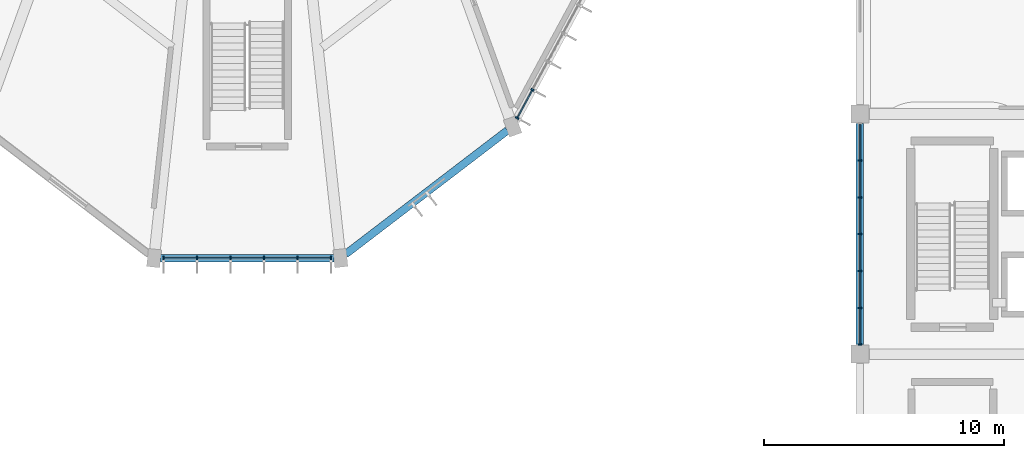
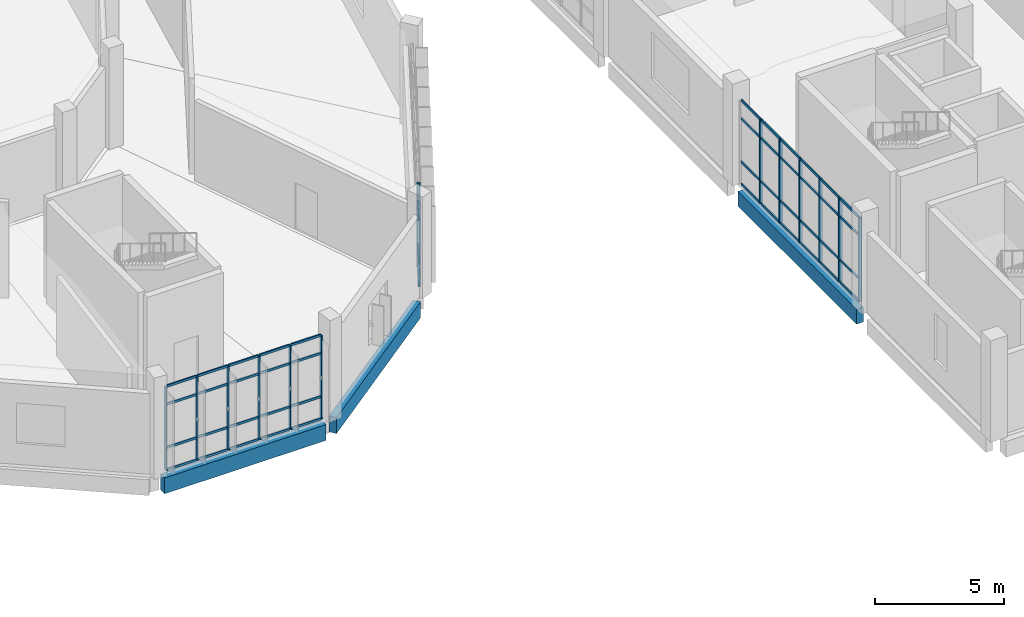
# One storey, part 51 of 179: 62 members, 3 beams, 3 elements without a shape of their own.
"""IFC4 building model written with IfcOpenShell, lengths in metres."""

from ifc_helpers import new_model, si_unit, direction, frame, origin, origin_2d, place, context, subcontext, project, spatial, rectangle, extrude, material, layer, layer_set, material_profile, profile_set, type_object, element, aggregate, save


model = new_model("IFC4")

# Units and contexts
model_context = context("Model", 3, precision=1e-05, world=origin(), true_north=direction((0.0, 1.0)))
body_context = subcontext(model_context, "Body", "Model", "MODEL_VIEW")
ifc_project = project(units=[si_unit("LENGTHUNIT", "METRE"), si_unit("AREAUNIT", "SQUARE_METRE"), si_unit("VOLUMEUNIT", "CUBIC_METRE"), si_unit("PLANEANGLEUNIT", "RADIAN"), si_unit("MASSUNIT", "GRAM", prefix="KILO")], contexts=[model_context])

# Site, building, storey
site_placement = place(None, origin())
site = spatial("IfcSite", under=ifc_project, at=site_placement, CompositionType="ELEMENT")
building_placement = place(site_placement, origin())
building = spatial("IfcBuilding", under=site, at=building_placement, Name="Corvandel Quay Wholesale Market", CompositionType="ELEMENT")
storey_placement = place(building_placement, frame((0.0, 0.0, 6.0)))
storey = spatial("IfcBuildingStorey", under=building, at=storey_placement, Name="L01", CompositionType="ELEMENT", Elevation=6.0)

# Curtain wall, members
ifc_material_1 = material(Name="Bronze anodised aluminium and low-E insulated glazing", Category="aluminium")
ifc_layer_1 = layer(ifc_material_1, 0.162109375)
ifc_layer_set_1 = layer_set([ifc_layer_1], Name="Bronze anodised aluminium and low-E insulated glazing")
curtain_wall_type_1 = type_object("IfcCurtainWallType", Name="Stick Curtain Wall System CW21 H4890", PredefinedType="NOTDEFINED", material=ifc_layer_set_1)
curtain_wall_1_placement = place(storey_placement, origin())
curtain_wall_1 = element("IfcCurtainWall", 1, at=curtain_wall_1_placement, inside=storey, type_object=curtain_wall_type_1, Name="Curtain Wall CW-0138", PredefinedType="NOTDEFINED")
ifc_material_2 = material(Name="Anodised aluminium 6063-T6", Category="aluminium")
ifc_material_profile_1 = material_profile(ifc_material_2, rectangle(XDim=0.06494140625, YDim=0.14990234375, at=origin_2d()), Name="ALU-MUL-65x150")
ifc_profile_set_1 = profile_set([ifc_material_profile_1], Name="Anodised aluminium 6063-T6")
member_type_1 = type_object("IfcMemberType", Name="Curtain Wall Mullion ML02 65x150", PredefinedType="MULLION", material=ifc_profile_set_1)
member_1_placement = place(storey_placement, frame((191.02099609375, 24.0, 0.0), z_axis=(0.0, 0.0, 1.0), x_axis=(1.0, 0.0, 0.0)))
member_1 = element("IfcMember", 2, at=member_1_placement, type_object=member_type_1, Name="Mullion CW-0138-M00", PredefinedType="MULLION", context=body_context, shape_type="SweptSolid", body=[
    extrude(rectangle(XDim=0.06494140625, YDim=0.14990234375, at=origin_2d()), origin(), (0.0, 0.0, 1.0), 3.949951171875),
])
member_2_placement = place(storey_placement, frame((192.41259765625, 24.0, 0.0), z_axis=(0.0, 0.0, 1.0), x_axis=(1.0, 0.0, 0.0)))
member_2 = element("IfcMember", 3, at=member_2_placement, type_object=member_type_1, Name="Mullion CW-0138-M01", PredefinedType="MULLION", context=body_context, shape_type="SweptSolid", body=[
    extrude(rectangle(XDim=0.06494140625, YDim=0.14990234375, at=origin_2d()), origin(), (0.0, 0.0, 1.0), 3.949951171875),
])
member_3_placement = place(storey_placement, frame((193.80419921875, 24.0, 0.0), z_axis=(0.0, 0.0, 1.0), x_axis=(1.0, 0.0, 0.0)))
member_3 = element("IfcMember", 4, at=member_3_placement, type_object=member_type_1, Name="Mullion CW-0138-M02", PredefinedType="MULLION", context=body_context, shape_type="SweptSolid", body=[
    extrude(rectangle(XDim=0.06494140625, YDim=0.14990234375, at=origin_2d()), origin(), (0.0, 0.0, 1.0), 3.949951171875),
])
member_4_placement = place(storey_placement, frame((195.19580078125, 24.0, 0.0), z_axis=(0.0, 0.0, 1.0), x_axis=(1.0, 0.0, 0.0)))
member_4 = element("IfcMember", 5, at=member_4_placement, type_object=member_type_1, Name="Mullion CW-0138-M03", PredefinedType="MULLION", context=body_context, shape_type="SweptSolid", body=[
    extrude(rectangle(XDim=0.06494140625, YDim=0.14990234375, at=origin_2d()), origin(), (0.0, 0.0, 1.0), 3.949951171875),
])
member_5_placement = place(storey_placement, frame((196.58740234375, 24.0, 0.0), z_axis=(0.0, 0.0, 1.0), x_axis=(1.0, 0.0, 0.0)))
member_5 = element("IfcMember", 6, at=member_5_placement, type_object=member_type_1, Name="Mullion CW-0138-M04", PredefinedType="MULLION", context=body_context, shape_type="SweptSolid", body=[
    extrude(rectangle(XDim=0.06494140625, YDim=0.14990234375, at=origin_2d()), origin(), (0.0, 0.0, 1.0), 3.949951171875),
])
member_6_placement = place(storey_placement, frame((197.97900390625, 24.0, 0.0), z_axis=(0.0, 0.0, 1.0), x_axis=(1.0, 0.0, 0.0)))
member_6 = element("IfcMember", 7, at=member_6_placement, type_object=member_type_1, Name="Mullion CW-0138-M05", PredefinedType="MULLION", context=body_context, shape_type="SweptSolid", body=[
    extrude(rectangle(XDim=0.06494140625, YDim=0.14990234375, at=origin_2d()), origin(), (0.0, 0.0, 1.0), 3.949951171875),
])

ifc_layer_2 = layer(ifc_material_1, 0.18603515625)
ifc_layer_set_2 = layer_set([ifc_layer_2], Name="Bronze anodised aluminium and low-E insulated glazing")
curtain_wall_type_2 = type_object("IfcCurtainWallType", Name="Stick Curtain Wall System CW23 H5070", PredefinedType="NOTDEFINED", material=ifc_layer_set_2)
curtain_wall_2_placement = place(storey_placement, origin())
curtain_wall_2 = element("IfcCurtainWall", 8, at=curtain_wall_2_placement, inside=storey, type_object=curtain_wall_type_2, Name="Curtain Wall CW-0140", PredefinedType="NOTDEFINED")
member_7_placement = place(storey_placement, frame((205.736572265625, 29.832763671875, 0.0), z_axis=(0.0, 0.0, 1.0), x_axis=(0.476238203668, 0.879316310191, 0.0)))
member_7 = element("IfcMember", 9, at=member_7_placement, type_object=member_type_1, Name="Mullion CW-0140-M00", PredefinedType="MULLION", context=body_context, shape_type="SweptSolid", body=[
    extrude(rectangle(XDim=0.06494140625, YDim=0.14990234375, at=origin_2d()), origin(), (0.0, 0.0, 1.0), 3.949951171875),
])
member_8_placement = place(storey_placement, frame((206.37451171875, 31.010498046875, 0.0), z_axis=(0.0, 0.0, 1.0), x_axis=(0.476238203668, 0.879316310191, 0.0)))
member_8 = element("IfcMember", 10, at=member_8_placement, type_object=member_type_1, Name="Mullion CW-0140-M01", PredefinedType="MULLION", context=body_context, shape_type="SweptSolid", body=[
    extrude(rectangle(XDim=0.06494140625, YDim=0.14990234375, at=origin_2d()), origin(), (0.0, 0.0, 1.0), 3.949951171875),
])

ifc_layer_3 = layer(ifc_material_1, 0.14990234375)
ifc_layer_set_3 = layer_set([ifc_layer_3], Name="Bronze anodised aluminium and low-E insulated glazing")
curtain_wall_type_3 = type_object("IfcCurtainWallType", Name="Stick Curtain Wall System CW20 H4800", PredefinedType="NOTDEFINED", material=ifc_layer_set_3)
curtain_wall_3_placement = place(storey_placement, origin())
curtain_wall_3 = element("IfcCurtainWall", 11, at=curtain_wall_3_placement, inside=storey, type_object=curtain_wall_type_3, Name="Curtain Wall CW-0150", PredefinedType="NOTDEFINED")
member_9_placement = place(storey_placement, frame((220.0, 20.39990234375, 0.0), z_axis=(0.0, 0.0, 1.0), x_axis=(0.0, 1.0, 0.0)))
member_9 = element("IfcMember", 12, at=member_9_placement, type_object=member_type_1, Name="Mullion CW-0150-M00", PredefinedType="MULLION", context=body_context, shape_type="SweptSolid", body=[
    extrude(rectangle(XDim=0.06494140625, YDim=0.14990234375, at=origin_2d()), origin(), (0.0, 0.0, 1.0), 3.949951171875),
])
member_10_placement = place(storey_placement, frame((220.0, 21.933349609375, 0.0), z_axis=(0.0, 0.0, 1.0), x_axis=(0.0, 1.0, 0.0)))
member_10 = element("IfcMember", 13, at=member_10_placement, type_object=member_type_1, Name="Mullion CW-0150-M01", PredefinedType="MULLION", context=body_context, shape_type="SweptSolid", body=[
    extrude(rectangle(XDim=0.06494140625, YDim=0.14990234375, at=origin_2d()), origin(), (0.0, 0.0, 1.0), 3.949951171875),
])
member_11_placement = place(storey_placement, frame((220.0, 23.466796875, 0.0), z_axis=(0.0, 0.0, 1.0), x_axis=(0.0, 1.0, 0.0)))
member_11 = element("IfcMember", 14, at=member_11_placement, type_object=member_type_1, Name="Mullion CW-0150-M02", PredefinedType="MULLION", context=body_context, shape_type="SweptSolid", body=[
    extrude(rectangle(XDim=0.06494140625, YDim=0.14990234375, at=origin_2d()), origin(), (0.0, 0.0, 1.0), 3.949951171875),
])
member_12_placement = place(storey_placement, frame((220.0, 25.0, 0.0), z_axis=(0.0, 0.0, 1.0), x_axis=(0.0, 1.0, 0.0)))
member_12 = element("IfcMember", 15, at=member_12_placement, type_object=member_type_1, Name="Mullion CW-0150-M03", PredefinedType="MULLION", context=body_context, shape_type="SweptSolid", body=[
    extrude(rectangle(XDim=0.06494140625, YDim=0.14990234375, at=origin_2d()), origin(), (0.0, 0.0, 1.0), 3.949951171875),
])
member_13_placement = place(storey_placement, frame((220.0, 26.533203125, 0.0), z_axis=(0.0, 0.0, 1.0), x_axis=(0.0, 1.0, 0.0)))
member_13 = element("IfcMember", 16, at=member_13_placement, type_object=member_type_1, Name="Mullion CW-0150-M04", PredefinedType="MULLION", context=body_context, shape_type="SweptSolid", body=[
    extrude(rectangle(XDim=0.06494140625, YDim=0.14990234375, at=origin_2d()), origin(), (0.0, 0.0, 1.0), 3.949951171875),
])
member_14_placement = place(storey_placement, frame((220.0, 28.066650390625, 0.0), z_axis=(0.0, 0.0, 1.0), x_axis=(0.0, 1.0, 0.0)))
member_14 = element("IfcMember", 17, at=member_14_placement, type_object=member_type_1, Name="Mullion CW-0150-M05", PredefinedType="MULLION", context=body_context, shape_type="SweptSolid", body=[
    extrude(rectangle(XDim=0.06494140625, YDim=0.14990234375, at=origin_2d()), origin(), (0.0, 0.0, 1.0), 3.949951171875),
])

# Member
ifc_material_profile_2 = material_profile(ifc_material_2, rectangle(XDim=0.06005859375, YDim=0.110107421875, at=origin_2d()), Name="ALU-TRN-60x110")
ifc_profile_set_2 = profile_set([ifc_material_profile_2], Name="Anodised aluminium 6063-T6")
member_type_2 = type_object("IfcMemberType", Name="Curtain Wall Transom TR02 60x110", PredefinedType="USERDEFINED", material=ifc_profile_set_2)
member_15_placement = place(storey_placement, frame((191.053466796875, 24.0, 0.0), z_axis=(1.0, 0.0, 0.0), x_axis=(0.0, 1.0, 0.0)))
member_15 = element("IfcMember", 18, at=member_15_placement, type_object=member_type_2, Name="Transom CW-0138-T00-0", ObjectType="TRANSOM", PredefinedType="USERDEFINED", context=body_context, shape_type="SweptSolid", body=[
    extrude(rectangle(XDim=0.06005859375, YDim=0.110107421875, at=origin_2d()), origin(), (0.0, 0.0, 1.0), 1.32666015625),
])

member_16_placement = place(storey_placement, frame((191.053466796875, 24.0, 1.050048828125), z_axis=(1.0, 0.0, 0.0), x_axis=(0.0, 1.0, 0.0)))
member_16 = element("IfcMember", 19, at=member_16_placement, type_object=member_type_2, Name="Transom CW-0138-T00-1", ObjectType="TRANSOM", PredefinedType="USERDEFINED", context=body_context, shape_type="SweptSolid", body=[
    extrude(rectangle(XDim=0.06005859375, YDim=0.110107421875, at=origin_2d()), origin(), (0.0, 0.0, 1.0), 1.32666015625),
])

member_17_placement = place(storey_placement, frame((191.053466796875, 24.0, 3.10009765625), z_axis=(1.0, 0.0, 0.0), x_axis=(0.0, 1.0, 0.0)))
member_17 = element("IfcMember", 20, at=member_17_placement, type_object=member_type_2, Name="Transom CW-0138-T00-2", ObjectType="TRANSOM", PredefinedType="USERDEFINED", context=body_context, shape_type="SweptSolid", body=[
    extrude(rectangle(XDim=0.06005859375, YDim=0.110107421875, at=origin_2d()), origin(), (0.0, 0.0, 1.0), 1.32666015625),
])

member_18_placement = place(storey_placement, frame((191.053466796875, 24.0, 3.949951171875), z_axis=(1.0, 0.0, 0.0), x_axis=(0.0, 1.0, 0.0)))
member_18 = element("IfcMember", 21, at=member_18_placement, type_object=member_type_2, Name="Transom CW-0138-T00-3", ObjectType="TRANSOM", PredefinedType="USERDEFINED", context=body_context, shape_type="SweptSolid", body=[
    extrude(rectangle(XDim=0.06005859375, YDim=0.110107421875, at=origin_2d()), origin(), (0.0, 0.0, 1.0), 1.32666015625),
])

member_19_placement = place(storey_placement, frame((192.445068359375, 24.0, 0.0), z_axis=(1.0, 0.0, 0.0), x_axis=(0.0, 1.0, 0.0)))
member_19 = element("IfcMember", 22, at=member_19_placement, type_object=member_type_2, Name="Transom CW-0138-T01-0", ObjectType="TRANSOM", PredefinedType="USERDEFINED", context=body_context, shape_type="SweptSolid", body=[
    extrude(rectangle(XDim=0.06005859375, YDim=0.110107421875, at=origin_2d()), origin(), (0.0, 0.0, 1.0), 1.32666015625),
])

member_20_placement = place(storey_placement, frame((192.445068359375, 24.0, 1.050048828125), z_axis=(1.0, 0.0, 0.0), x_axis=(0.0, 1.0, 0.0)))
member_20 = element("IfcMember", 23, at=member_20_placement, type_object=member_type_2, Name="Transom CW-0138-T01-1", ObjectType="TRANSOM", PredefinedType="USERDEFINED", context=body_context, shape_type="SweptSolid", body=[
    extrude(rectangle(XDim=0.06005859375, YDim=0.110107421875, at=origin_2d()), origin(), (0.0, 0.0, 1.0), 1.32666015625),
])

member_21_placement = place(storey_placement, frame((192.445068359375, 24.0, 3.10009765625), z_axis=(1.0, 0.0, 0.0), x_axis=(0.0, 1.0, 0.0)))
member_21 = element("IfcMember", 24, at=member_21_placement, type_object=member_type_2, Name="Transom CW-0138-T01-2", ObjectType="TRANSOM", PredefinedType="USERDEFINED", context=body_context, shape_type="SweptSolid", body=[
    extrude(rectangle(XDim=0.06005859375, YDim=0.110107421875, at=origin_2d()), origin(), (0.0, 0.0, 1.0), 1.32666015625),
])

member_22_placement = place(storey_placement, frame((192.445068359375, 24.0, 3.949951171875), z_axis=(1.0, 0.0, 0.0), x_axis=(0.0, 1.0, 0.0)))
member_22 = element("IfcMember", 25, at=member_22_placement, type_object=member_type_2, Name="Transom CW-0138-T01-3", ObjectType="TRANSOM", PredefinedType="USERDEFINED", context=body_context, shape_type="SweptSolid", body=[
    extrude(rectangle(XDim=0.06005859375, YDim=0.110107421875, at=origin_2d()), origin(), (0.0, 0.0, 1.0), 1.32666015625),
])

member_23_placement = place(storey_placement, frame((193.836669921875, 24.0, 0.0), z_axis=(1.0, 0.0, 0.0), x_axis=(0.0, 1.0, 0.0)))
member_23 = element("IfcMember", 26, at=member_23_placement, type_object=member_type_2, Name="Transom CW-0138-T02-0", ObjectType="TRANSOM", PredefinedType="USERDEFINED", context=body_context, shape_type="SweptSolid", body=[
    extrude(rectangle(XDim=0.06005859375, YDim=0.110107421875, at=origin_2d()), origin(), (0.0, 0.0, 1.0), 1.32666015625),
])

member_24_placement = place(storey_placement, frame((193.836669921875, 24.0, 1.050048828125), z_axis=(1.0, 0.0, 0.0), x_axis=(0.0, 1.0, 0.0)))
member_24 = element("IfcMember", 27, at=member_24_placement, type_object=member_type_2, Name="Transom CW-0138-T02-1", ObjectType="TRANSOM", PredefinedType="USERDEFINED", context=body_context, shape_type="SweptSolid", body=[
    extrude(rectangle(XDim=0.06005859375, YDim=0.110107421875, at=origin_2d()), origin(), (0.0, 0.0, 1.0), 1.32666015625),
])

member_25_placement = place(storey_placement, frame((193.836669921875, 24.0, 3.10009765625), z_axis=(1.0, 0.0, 0.0), x_axis=(0.0, 1.0, 0.0)))
member_25 = element("IfcMember", 28, at=member_25_placement, type_object=member_type_2, Name="Transom CW-0138-T02-2", ObjectType="TRANSOM", PredefinedType="USERDEFINED", context=body_context, shape_type="SweptSolid", body=[
    extrude(rectangle(XDim=0.06005859375, YDim=0.110107421875, at=origin_2d()), origin(), (0.0, 0.0, 1.0), 1.32666015625),
])

member_26_placement = place(storey_placement, frame((193.836669921875, 24.0, 3.949951171875), z_axis=(1.0, 0.0, 0.0), x_axis=(0.0, 1.0, 0.0)))
member_26 = element("IfcMember", 29, at=member_26_placement, type_object=member_type_2, Name="Transom CW-0138-T02-3", ObjectType="TRANSOM", PredefinedType="USERDEFINED", context=body_context, shape_type="SweptSolid", body=[
    extrude(rectangle(XDim=0.06005859375, YDim=0.110107421875, at=origin_2d()), origin(), (0.0, 0.0, 1.0), 1.32666015625),
])

member_27_placement = place(storey_placement, frame((195.228271484375, 24.0, 0.0), z_axis=(1.0, 0.0, 0.0), x_axis=(0.0, 1.0, 0.0)))
member_27 = element("IfcMember", 30, at=member_27_placement, type_object=member_type_2, Name="Transom CW-0138-T03-0", ObjectType="TRANSOM", PredefinedType="USERDEFINED", context=body_context, shape_type="SweptSolid", body=[
    extrude(rectangle(XDim=0.06005859375, YDim=0.110107421875, at=origin_2d()), origin(), (0.0, 0.0, 1.0), 1.32666015625),
])

member_28_placement = place(storey_placement, frame((195.228271484375, 24.0, 1.050048828125), z_axis=(1.0, 0.0, 0.0), x_axis=(0.0, 1.0, 0.0)))
member_28 = element("IfcMember", 31, at=member_28_placement, type_object=member_type_2, Name="Transom CW-0138-T03-1", ObjectType="TRANSOM", PredefinedType="USERDEFINED", context=body_context, shape_type="SweptSolid", body=[
    extrude(rectangle(XDim=0.06005859375, YDim=0.110107421875, at=origin_2d()), origin(), (0.0, 0.0, 1.0), 1.32666015625),
])

member_29_placement = place(storey_placement, frame((195.228271484375, 24.0, 3.10009765625), z_axis=(1.0, 0.0, 0.0), x_axis=(0.0, 1.0, 0.0)))
member_29 = element("IfcMember", 32, at=member_29_placement, type_object=member_type_2, Name="Transom CW-0138-T03-2", ObjectType="TRANSOM", PredefinedType="USERDEFINED", context=body_context, shape_type="SweptSolid", body=[
    extrude(rectangle(XDim=0.06005859375, YDim=0.110107421875, at=origin_2d()), origin(), (0.0, 0.0, 1.0), 1.32666015625),
])

member_30_placement = place(storey_placement, frame((195.228271484375, 24.0, 3.949951171875), z_axis=(1.0, 0.0, 0.0), x_axis=(0.0, 1.0, 0.0)))
member_30 = element("IfcMember", 33, at=member_30_placement, type_object=member_type_2, Name="Transom CW-0138-T03-3", ObjectType="TRANSOM", PredefinedType="USERDEFINED", context=body_context, shape_type="SweptSolid", body=[
    extrude(rectangle(XDim=0.06005859375, YDim=0.110107421875, at=origin_2d()), origin(), (0.0, 0.0, 1.0), 1.32666015625),
])

member_31_placement = place(storey_placement, frame((196.619873046875, 24.0, 0.0), z_axis=(1.0, 0.0, 0.0), x_axis=(0.0, 1.0, 0.0)))
member_31 = element("IfcMember", 34, at=member_31_placement, type_object=member_type_2, Name="Transom CW-0138-T04-0", ObjectType="TRANSOM", PredefinedType="USERDEFINED", context=body_context, shape_type="SweptSolid", body=[
    extrude(rectangle(XDim=0.06005859375, YDim=0.110107421875, at=origin_2d()), origin(), (0.0, 0.0, 1.0), 1.32666015625),
])

member_32_placement = place(storey_placement, frame((196.619873046875, 24.0, 1.050048828125), z_axis=(1.0, 0.0, 0.0), x_axis=(0.0, 1.0, 0.0)))
member_32 = element("IfcMember", 35, at=member_32_placement, type_object=member_type_2, Name="Transom CW-0138-T04-1", ObjectType="TRANSOM", PredefinedType="USERDEFINED", context=body_context, shape_type="SweptSolid", body=[
    extrude(rectangle(XDim=0.06005859375, YDim=0.110107421875, at=origin_2d()), origin(), (0.0, 0.0, 1.0), 1.32666015625),
])

member_33_placement = place(storey_placement, frame((196.619873046875, 24.0, 3.10009765625), z_axis=(1.0, 0.0, 0.0), x_axis=(0.0, 1.0, 0.0)))
member_33 = element("IfcMember", 36, at=member_33_placement, type_object=member_type_2, Name="Transom CW-0138-T04-2", ObjectType="TRANSOM", PredefinedType="USERDEFINED", context=body_context, shape_type="SweptSolid", body=[
    extrude(rectangle(XDim=0.06005859375, YDim=0.110107421875, at=origin_2d()), origin(), (0.0, 0.0, 1.0), 1.32666015625),
])

member_34_placement = place(storey_placement, frame((196.619873046875, 24.0, 3.949951171875), z_axis=(1.0, 0.0, 0.0), x_axis=(0.0, 1.0, 0.0)))
member_34 = element("IfcMember", 37, at=member_34_placement, type_object=member_type_2, Name="Transom CW-0138-T04-3", ObjectType="TRANSOM", PredefinedType="USERDEFINED", context=body_context, shape_type="SweptSolid", body=[
    extrude(rectangle(XDim=0.06005859375, YDim=0.110107421875, at=origin_2d()), origin(), (0.0, 0.0, 1.0), 1.32666015625),
])

aggregate(curtain_wall_1, [member_1, member_2, member_3, member_4, member_5, member_6, member_15, member_16, member_17, member_18, member_19, member_20, member_21, member_22, member_23, member_24, member_25, member_26, member_27, member_28, member_29, member_30, member_31, member_32, member_33, member_34])

member_35_placement = place(storey_placement, frame((205.751953125, 29.861328125, 0.0), z_axis=(0.476165907025, 0.879355462249, 0.0), x_axis=(-0.879355462249, 0.476165907025, 0.0)))
member_35 = element("IfcMember", 38, at=member_35_placement, type_object=member_type_2, Name="Transom CW-0140-T00-0", ObjectType="TRANSOM", PredefinedType="USERDEFINED", context=body_context, shape_type="SweptSolid", body=[
    extrude(rectangle(XDim=0.06005859375, YDim=0.110107421875, at=origin_2d()), origin(), (0.0, 0.0, 1.0), 1.274658203125),
])

member_36_placement = place(storey_placement, frame((205.751953125, 29.861328125, 1.050048828125), z_axis=(0.476165907025, 0.879355462249, 0.0), x_axis=(-0.879355462249, 0.476165907025, 0.0)))
member_36 = element("IfcMember", 39, at=member_36_placement, type_object=member_type_2, Name="Transom CW-0140-T00-1", ObjectType="TRANSOM", PredefinedType="USERDEFINED", context=body_context, shape_type="SweptSolid", body=[
    extrude(rectangle(XDim=0.06005859375, YDim=0.110107421875, at=origin_2d()), origin(), (0.0, 0.0, 1.0), 1.274658203125),
])

member_37_placement = place(storey_placement, frame((205.751953125, 29.861328125, 3.10009765625), z_axis=(0.476165907025, 0.879355462249, 0.0), x_axis=(-0.879355462249, 0.476165907025, 0.0)))
member_37 = element("IfcMember", 40, at=member_37_placement, type_object=member_type_2, Name="Transom CW-0140-T00-2", ObjectType="TRANSOM", PredefinedType="USERDEFINED", context=body_context, shape_type="SweptSolid", body=[
    extrude(rectangle(XDim=0.06005859375, YDim=0.110107421875, at=origin_2d()), origin(), (0.0, 0.0, 1.0), 1.274658203125),
])

member_38_placement = place(storey_placement, frame((205.751953125, 29.861328125, 3.949951171875), z_axis=(0.476165907025, 0.879355462249, 0.0), x_axis=(-0.879355462249, 0.476165907025, 0.0)))
member_38 = element("IfcMember", 41, at=member_38_placement, type_object=member_type_2, Name="Transom CW-0140-T00-3", ObjectType="TRANSOM", PredefinedType="USERDEFINED", context=body_context, shape_type="SweptSolid", body=[
    extrude(rectangle(XDim=0.06005859375, YDim=0.110107421875, at=origin_2d()), origin(), (0.0, 0.0, 1.0), 1.274658203125),
])

aggregate(curtain_wall_2, [member_7, member_8, member_35, member_36, member_37, member_38])

member_39_placement = place(storey_placement, frame((220.0, 20.4326171875, 0.0), z_axis=(0.0, 1.0, 0.0), x_axis=(-1.0, 0.0, 0.0)))
member_39 = element("IfcMember", 42, at=member_39_placement, type_object=member_type_2, Name="Transom CW-0150-T00-0", ObjectType="TRANSOM", PredefinedType="USERDEFINED", context=body_context, shape_type="SweptSolid", body=[
    extrude(rectangle(XDim=0.06005859375, YDim=0.110107421875, at=origin_2d()), origin(), (0.0, 0.0, 1.0), 1.46826171875),
])

member_40_placement = place(storey_placement, frame((220.0, 20.4326171875, 1.050048828125), z_axis=(0.0, 1.0, 0.0), x_axis=(-1.0, 0.0, 0.0)))
member_40 = element("IfcMember", 43, at=member_40_placement, type_object=member_type_2, Name="Transom CW-0150-T00-1", ObjectType="TRANSOM", PredefinedType="USERDEFINED", context=body_context, shape_type="SweptSolid", body=[
    extrude(rectangle(XDim=0.06005859375, YDim=0.110107421875, at=origin_2d()), origin(), (0.0, 0.0, 1.0), 1.46826171875),
])

member_41_placement = place(storey_placement, frame((220.0, 20.4326171875, 3.10009765625), z_axis=(0.0, 1.0, 0.0), x_axis=(-1.0, 0.0, 0.0)))
member_41 = element("IfcMember", 44, at=member_41_placement, type_object=member_type_2, Name="Transom CW-0150-T00-2", ObjectType="TRANSOM", PredefinedType="USERDEFINED", context=body_context, shape_type="SweptSolid", body=[
    extrude(rectangle(XDim=0.06005859375, YDim=0.110107421875, at=origin_2d()), origin(), (0.0, 0.0, 1.0), 1.46826171875),
])

member_42_placement = place(storey_placement, frame((220.0, 20.4326171875, 3.949951171875), z_axis=(0.0, 1.0, 0.0), x_axis=(-1.0, 0.0, 0.0)))
member_42 = element("IfcMember", 45, at=member_42_placement, type_object=member_type_2, Name="Transom CW-0150-T00-3", ObjectType="TRANSOM", PredefinedType="USERDEFINED", context=body_context, shape_type="SweptSolid", body=[
    extrude(rectangle(XDim=0.06005859375, YDim=0.110107421875, at=origin_2d()), origin(), (0.0, 0.0, 1.0), 1.46826171875),
])

member_43_placement = place(storey_placement, frame((220.0, 21.9658203125, 0.0), z_axis=(0.0, 1.0, 0.0), x_axis=(-1.0, 0.0, 0.0)))
member_43 = element("IfcMember", 46, at=member_43_placement, type_object=member_type_2, Name="Transom CW-0150-T01-0", ObjectType="TRANSOM", PredefinedType="USERDEFINED", context=body_context, shape_type="SweptSolid", body=[
    extrude(rectangle(XDim=0.06005859375, YDim=0.110107421875, at=origin_2d()), origin(), (0.0, 0.0, 1.0), 1.46826171875),
])

member_44_placement = place(storey_placement, frame((220.0, 21.9658203125, 1.050048828125), z_axis=(0.0, 1.0, 0.0), x_axis=(-1.0, 0.0, 0.0)))
member_44 = element("IfcMember", 47, at=member_44_placement, type_object=member_type_2, Name="Transom CW-0150-T01-1", ObjectType="TRANSOM", PredefinedType="USERDEFINED", context=body_context, shape_type="SweptSolid", body=[
    extrude(rectangle(XDim=0.06005859375, YDim=0.110107421875, at=origin_2d()), origin(), (0.0, 0.0, 1.0), 1.46826171875),
])

member_45_placement = place(storey_placement, frame((220.0, 21.9658203125, 3.10009765625), z_axis=(0.0, 1.0, 0.0), x_axis=(-1.0, 0.0, 0.0)))
member_45 = element("IfcMember", 48, at=member_45_placement, type_object=member_type_2, Name="Transom CW-0150-T01-2", ObjectType="TRANSOM", PredefinedType="USERDEFINED", context=body_context, shape_type="SweptSolid", body=[
    extrude(rectangle(XDim=0.06005859375, YDim=0.110107421875, at=origin_2d()), origin(), (0.0, 0.0, 1.0), 1.46826171875),
])

member_46_placement = place(storey_placement, frame((220.0, 21.9658203125, 3.949951171875), z_axis=(0.0, 1.0, 0.0), x_axis=(-1.0, 0.0, 0.0)))
member_46 = element("IfcMember", 49, at=member_46_placement, type_object=member_type_2, Name="Transom CW-0150-T01-3", ObjectType="TRANSOM", PredefinedType="USERDEFINED", context=body_context, shape_type="SweptSolid", body=[
    extrude(rectangle(XDim=0.06005859375, YDim=0.110107421875, at=origin_2d()), origin(), (0.0, 0.0, 1.0), 1.46826171875),
])

member_47_placement = place(storey_placement, frame((220.0, 23.499267578125, 0.0), z_axis=(0.0, 1.0, 0.0), x_axis=(-1.0, 0.0, 0.0)))
member_47 = element("IfcMember", 50, at=member_47_placement, type_object=member_type_2, Name="Transom CW-0150-T02-0", ObjectType="TRANSOM", PredefinedType="USERDEFINED", context=body_context, shape_type="SweptSolid", body=[
    extrude(rectangle(XDim=0.06005859375, YDim=0.110107421875, at=origin_2d()), origin(), (0.0, 0.0, 1.0), 1.46826171875),
])

member_48_placement = place(storey_placement, frame((220.0, 23.499267578125, 1.050048828125), z_axis=(0.0, 1.0, 0.0), x_axis=(-1.0, 0.0, 0.0)))
member_48 = element("IfcMember", 51, at=member_48_placement, type_object=member_type_2, Name="Transom CW-0150-T02-1", ObjectType="TRANSOM", PredefinedType="USERDEFINED", context=body_context, shape_type="SweptSolid", body=[
    extrude(rectangle(XDim=0.06005859375, YDim=0.110107421875, at=origin_2d()), origin(), (0.0, 0.0, 1.0), 1.46826171875),
])

member_49_placement = place(storey_placement, frame((220.0, 23.499267578125, 3.10009765625), z_axis=(0.0, 1.0, 0.0), x_axis=(-1.0, 0.0, 0.0)))
member_49 = element("IfcMember", 52, at=member_49_placement, type_object=member_type_2, Name="Transom CW-0150-T02-2", ObjectType="TRANSOM", PredefinedType="USERDEFINED", context=body_context, shape_type="SweptSolid", body=[
    extrude(rectangle(XDim=0.06005859375, YDim=0.110107421875, at=origin_2d()), origin(), (0.0, 0.0, 1.0), 1.46826171875),
])

member_50_placement = place(storey_placement, frame((220.0, 23.499267578125, 3.949951171875), z_axis=(0.0, 1.0, 0.0), x_axis=(-1.0, 0.0, 0.0)))
member_50 = element("IfcMember", 53, at=member_50_placement, type_object=member_type_2, Name="Transom CW-0150-T02-3", ObjectType="TRANSOM", PredefinedType="USERDEFINED", context=body_context, shape_type="SweptSolid", body=[
    extrude(rectangle(XDim=0.06005859375, YDim=0.110107421875, at=origin_2d()), origin(), (0.0, 0.0, 1.0), 1.46826171875),
])

member_51_placement = place(storey_placement, frame((220.0, 25.032470703125, 0.0), z_axis=(0.0, 1.0, 0.0), x_axis=(-1.0, 0.0, 0.0)))
member_51 = element("IfcMember", 54, at=member_51_placement, type_object=member_type_2, Name="Transom CW-0150-T03-0", ObjectType="TRANSOM", PredefinedType="USERDEFINED", context=body_context, shape_type="SweptSolid", body=[
    extrude(rectangle(XDim=0.06005859375, YDim=0.110107421875, at=origin_2d()), origin(), (0.0, 0.0, 1.0), 1.46826171875),
])

member_52_placement = place(storey_placement, frame((220.0, 25.032470703125, 1.050048828125), z_axis=(0.0, 1.0, 0.0), x_axis=(-1.0, 0.0, 0.0)))
member_52 = element("IfcMember", 55, at=member_52_placement, type_object=member_type_2, Name="Transom CW-0150-T03-1", ObjectType="TRANSOM", PredefinedType="USERDEFINED", context=body_context, shape_type="SweptSolid", body=[
    extrude(rectangle(XDim=0.06005859375, YDim=0.110107421875, at=origin_2d()), origin(), (0.0, 0.0, 1.0), 1.46826171875),
])

member_53_placement = place(storey_placement, frame((220.0, 25.032470703125, 3.10009765625), z_axis=(0.0, 1.0, 0.0), x_axis=(-1.0, 0.0, 0.0)))
member_53 = element("IfcMember", 56, at=member_53_placement, type_object=member_type_2, Name="Transom CW-0150-T03-2", ObjectType="TRANSOM", PredefinedType="USERDEFINED", context=body_context, shape_type="SweptSolid", body=[
    extrude(rectangle(XDim=0.06005859375, YDim=0.110107421875, at=origin_2d()), origin(), (0.0, 0.0, 1.0), 1.46826171875),
])

member_54_placement = place(storey_placement, frame((220.0, 25.032470703125, 3.949951171875), z_axis=(0.0, 1.0, 0.0), x_axis=(-1.0, 0.0, 0.0)))
member_54 = element("IfcMember", 57, at=member_54_placement, type_object=member_type_2, Name="Transom CW-0150-T03-3", ObjectType="TRANSOM", PredefinedType="USERDEFINED", context=body_context, shape_type="SweptSolid", body=[
    extrude(rectangle(XDim=0.06005859375, YDim=0.110107421875, at=origin_2d()), origin(), (0.0, 0.0, 1.0), 1.46826171875),
])

member_55_placement = place(storey_placement, frame((220.0, 26.56591796875, 0.0), z_axis=(0.0, 1.0, 0.0), x_axis=(-1.0, 0.0, 0.0)))
member_55 = element("IfcMember", 58, at=member_55_placement, type_object=member_type_2, Name="Transom CW-0150-T04-0", ObjectType="TRANSOM", PredefinedType="USERDEFINED", context=body_context, shape_type="SweptSolid", body=[
    extrude(rectangle(XDim=0.06005859375, YDim=0.110107421875, at=origin_2d()), origin(), (0.0, 0.0, 1.0), 1.46826171875),
])

member_56_placement = place(storey_placement, frame((220.0, 26.56591796875, 1.050048828125), z_axis=(0.0, 1.0, 0.0), x_axis=(-1.0, 0.0, 0.0)))
member_56 = element("IfcMember", 59, at=member_56_placement, type_object=member_type_2, Name="Transom CW-0150-T04-1", ObjectType="TRANSOM", PredefinedType="USERDEFINED", context=body_context, shape_type="SweptSolid", body=[
    extrude(rectangle(XDim=0.06005859375, YDim=0.110107421875, at=origin_2d()), origin(), (0.0, 0.0, 1.0), 1.46826171875),
])

member_57_placement = place(storey_placement, frame((220.0, 26.56591796875, 3.10009765625), z_axis=(0.0, 1.0, 0.0), x_axis=(-1.0, 0.0, 0.0)))
member_57 = element("IfcMember", 60, at=member_57_placement, type_object=member_type_2, Name="Transom CW-0150-T04-2", ObjectType="TRANSOM", PredefinedType="USERDEFINED", context=body_context, shape_type="SweptSolid", body=[
    extrude(rectangle(XDim=0.06005859375, YDim=0.110107421875, at=origin_2d()), origin(), (0.0, 0.0, 1.0), 1.46826171875),
])

member_58_placement = place(storey_placement, frame((220.0, 26.56591796875, 3.949951171875), z_axis=(0.0, 1.0, 0.0), x_axis=(-1.0, 0.0, 0.0)))
member_58 = element("IfcMember", 61, at=member_58_placement, type_object=member_type_2, Name="Transom CW-0150-T04-3", ObjectType="TRANSOM", PredefinedType="USERDEFINED", context=body_context, shape_type="SweptSolid", body=[
    extrude(rectangle(XDim=0.06005859375, YDim=0.110107421875, at=origin_2d()), origin(), (0.0, 0.0, 1.0), 1.46826171875),
])

member_59_placement = place(storey_placement, frame((220.0, 28.09912109375, 0.0), z_axis=(0.0, 1.0, 0.0), x_axis=(-1.0, 0.0, 0.0)))
member_59 = element("IfcMember", 62, at=member_59_placement, type_object=member_type_2, Name="Transom CW-0150-T05-0", ObjectType="TRANSOM", PredefinedType="USERDEFINED", context=body_context, shape_type="SweptSolid", body=[
    extrude(rectangle(XDim=0.06005859375, YDim=0.110107421875, at=origin_2d()), origin(), (0.0, 0.0, 1.0), 1.46826171875),
])

member_60_placement = place(storey_placement, frame((220.0, 28.09912109375, 1.050048828125), z_axis=(0.0, 1.0, 0.0), x_axis=(-1.0, 0.0, 0.0)))
member_60 = element("IfcMember", 63, at=member_60_placement, type_object=member_type_2, Name="Transom CW-0150-T05-1", ObjectType="TRANSOM", PredefinedType="USERDEFINED", context=body_context, shape_type="SweptSolid", body=[
    extrude(rectangle(XDim=0.06005859375, YDim=0.110107421875, at=origin_2d()), origin(), (0.0, 0.0, 1.0), 1.46826171875),
])

member_61_placement = place(storey_placement, frame((220.0, 28.09912109375, 3.10009765625), z_axis=(0.0, 1.0, 0.0), x_axis=(-1.0, 0.0, 0.0)))
member_61 = element("IfcMember", 64, at=member_61_placement, type_object=member_type_2, Name="Transom CW-0150-T05-2", ObjectType="TRANSOM", PredefinedType="USERDEFINED", context=body_context, shape_type="SweptSolid", body=[
    extrude(rectangle(XDim=0.06005859375, YDim=0.110107421875, at=origin_2d()), origin(), (0.0, 0.0, 1.0), 1.46826171875),
])

member_62_placement = place(storey_placement, frame((220.0, 28.09912109375, 3.949951171875), z_axis=(0.0, 1.0, 0.0), x_axis=(-1.0, 0.0, 0.0)))
member_62 = element("IfcMember", 65, at=member_62_placement, type_object=member_type_2, Name="Transom CW-0150-T05-3", ObjectType="TRANSOM", PredefinedType="USERDEFINED", context=body_context, shape_type="SweptSolid", body=[
    extrude(rectangle(XDim=0.06005859375, YDim=0.110107421875, at=origin_2d()), origin(), (0.0, 0.0, 1.0), 1.46826171875),
])

aggregate(curtain_wall_3, [member_9, member_10, member_11, member_12, member_13, member_14, member_39, member_40, member_41, member_42, member_43, member_44, member_45, member_46, member_47, member_48, member_49, member_50, member_51, member_52, member_53, member_54, member_55, member_56, member_57, member_58, member_59, member_60, member_61, member_62])

# Beams
ifc_material_3 = material(Name="Precast concrete C45/55", Category="concrete")
ifc_material_profile_3 = material_profile(ifc_material_3, rectangle(XDim=0.320068359375, YDim=0.75, at=origin_2d()), Name="PC-SPN-320x750")
ifc_profile_set_3 = profile_set([ifc_material_profile_3], Name="Precast concrete C45/55")
beam_type_1 = type_object("IfcBeamType", Name="Pavilion Precast Spandrel SP02 320x750", PredefinedType="SPANDREL", material=ifc_profile_set_3)
beam_1_placement = place(storey_placement, frame((190.89111328125, 24.0, -0.614990234375), z_axis=(1.0, 0.0, 0.0), x_axis=(0.0, 1.0, 0.0)))
element("IfcBeam", 66, at=beam_1_placement, inside=storey, type_object=beam_type_1, Name="Beam BM-0884", PredefinedType="SPANDREL", context=body_context, shape_type="SweptSolid", body=[
    extrude(rectangle(XDim=0.320068359375, YDim=0.75, at=origin_2d()), origin(), (0.0, 0.0, 1.0), 7.2177734375),
])
beam_2_placement = place(storey_placement, frame((198.593505859375, 24.1640625, -0.614990234375), z_axis=(0.794345578607, 0.607466132182, 0.0), x_axis=(-0.607466132182, 0.794345578607, 0.0)))
element("IfcBeam", 67, at=beam_2_placement, inside=storey, type_object=beam_type_1, Name="Beam BM-0893", PredefinedType="SPANDREL", context=body_context, shape_type="SweptSolid", body=[
    extrude(rectangle(XDim=0.320068359375, YDim=0.75, at=origin_2d()), origin(), (0.0, 0.0, 1.0), 8.482421875),
])
ifc_material_profile_4 = material_profile(ifc_material_3, rectangle(XDim=0.300048828125, YDim=0.699951171875, at=origin_2d()), Name="PC-SPN-300x700")
ifc_profile_set_4 = profile_set([ifc_material_profile_4], Name="Precast concrete C45/55")
beam_type_2 = type_object("IfcBeamType", Name="Terrace Edge Spandrel SP03 300x700", PredefinedType="SPANDREL", material=ifc_profile_set_4)
beam_3_placement = place(storey_placement, frame((220.0, 20.39501953125, -0.669921875), z_axis=(0.0, 1.0, 0.0), x_axis=(-1.0, 0.0, 0.0)))
element("IfcBeam", 68, at=beam_3_placement, inside=storey, type_object=beam_type_2, Name="Beam BM-1440", PredefinedType="SPANDREL", context=body_context, shape_type="SweptSolid", body=[
    extrude(rectangle(XDim=0.300048828125, YDim=0.699951171875, at=origin_2d()), origin(), (0.0, 0.0, 1.0), 9.2099609375),
])

save(model, "model.ifc")
